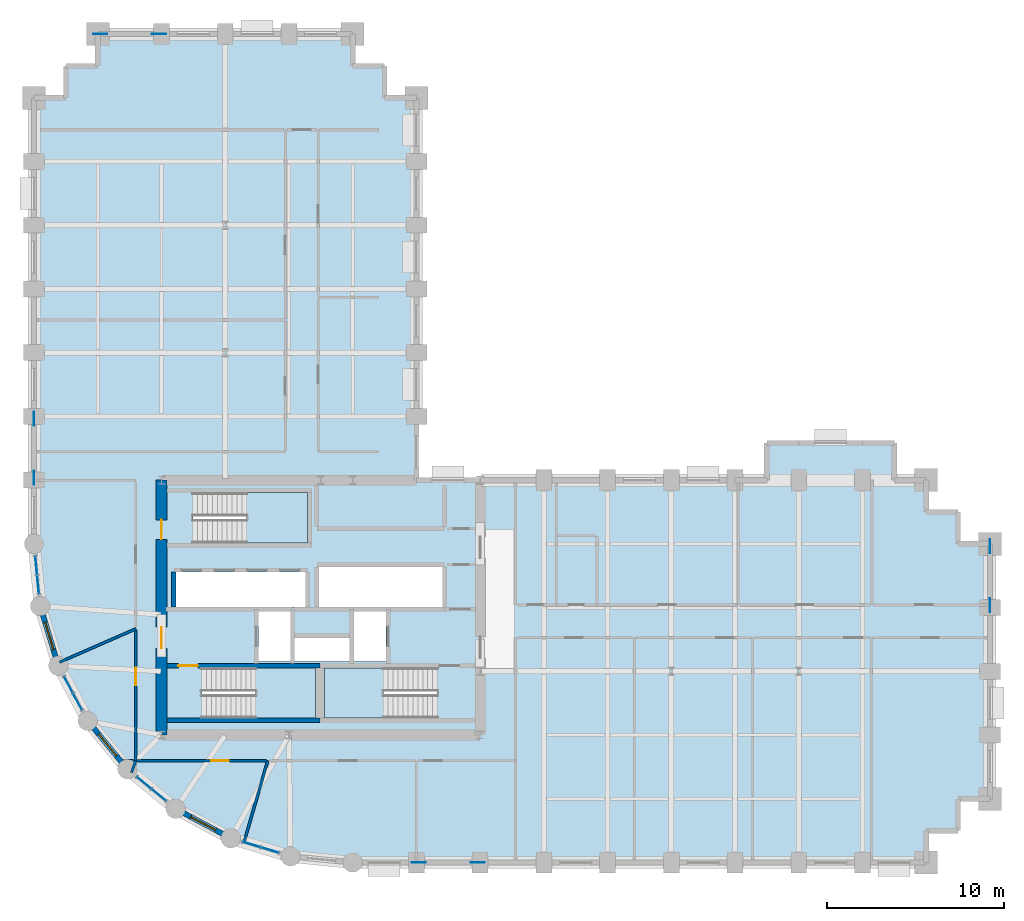
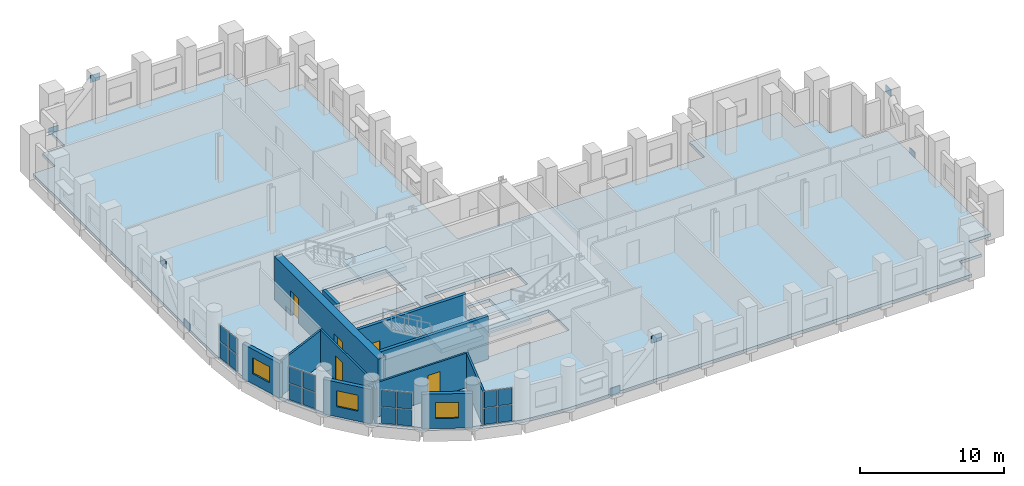
# One storey, part 7 of 13: 24 plates, 12 walls, 5 doors, 4 slabs, 3 windows, 8 openings, 7 elements without a shape of their own.
"""IFC4 building model written with IfcOpenShell, lengths in metres."""

from ifc_helpers import new_model, si_unit, direction, frame, frame_2d, origin, origin_2d, place, context, subcontext, project, spatial, polyline, rectangle, outline, extrude, material, layer, layer_set, type_object, element, fill, aggregate, save


model = new_model("IFC4")

# Units and contexts
model_context = context("Model", 3, precision=1e-05, world=origin(), true_north=direction((0.0, 1.0)))
body_context = subcontext(model_context, "Body", "Model", "MODEL_VIEW")
ifc_project = project(units=[si_unit("LENGTHUNIT", "METRE"), si_unit("AREAUNIT", "SQUARE_METRE"), si_unit("VOLUMEUNIT", "CUBIC_METRE"), si_unit("PLANEANGLEUNIT", "RADIAN"), si_unit("MASSUNIT", "GRAM", prefix="KILO")], contexts=[model_context])

# Site, building, storey
site_placement = place(None, origin())
site = spatial("IfcSite", under=ifc_project, at=site_placement, CompositionType="ELEMENT")
building_placement = place(site_placement, origin())
building = spatial("IfcBuilding", under=site, at=building_placement, Name="Solnavia Interchange Tower", CompositionType="ELEMENT")
storey_placement = place(building_placement, frame((0.0, 0.0, 39.60009765625)))
storey = spatial("IfcBuildingStorey", under=building, at=storey_placement, Name="L09", CompositionType="ELEMENT", Elevation=39.60009765625)

# Curtain wall, plates
ifc_material_1 = material(Name="Aluminium Alloy 6063-T6", Category="aluminium")
ifc_layer_1 = layer(ifc_material_1, 0.239990234375)
ifc_layer_set_1 = layer_set([ifc_layer_1], Name="Aluminium Alloy 6063-T6")
curtain_wall_type = type_object("IfcCurtainWallType", Name="CurtainWall-Drum-CTW2", PredefinedType="NOTDEFINED", material=ifc_layer_set_1)
curtain_wall_1_placement = place(storey_placement, origin())
curtain_wall_1 = element("IfcCurtainWall", 1, at=curtain_wall_1_placement, inside=storey, type_object=curtain_wall_type, Name="CTW-L09-D59 CTW-2 curtain wall", PredefinedType="NOTDEFINED")
ifc_material_2 = material(Name="Double-Glazed Low-E IGU Glass", Category="glass")
ifc_layer_2 = layer(ifc_material_2, 0.031982421875)
ifc_layer_set_2 = layer_set([ifc_layer_2], Name="Double-Glazed Low-E IGU Glass")
plate_type_1 = type_object("IfcPlateType", Name="CW-Panel-Solar-32", PredefinedType="CURTAIN_PANEL", material=ifc_layer_set_2)
plate_1_placement = place(storey_placement, frame((7.319580078125, 20.38623046875, 0.06494140625), z_axis=(0.0, 0.0, 1.0), x_axis=(0.098045297616, -0.995181953019, 0.0)))
plate_1 = element("IfcPlate", 2, at=plate_1_placement, type_object=plate_type_1, Name="CTW-2 panel 1.1", PredefinedType="CURTAIN_PANEL", context=body_context, shape_type="SweptSolid", body=[
    extrude(rectangle(XDim=1.0146484375, YDim=0.031982421875, at=origin_2d()), origin(), (0.0, 0.0, 1.0), 1.367431640625),
])
plate_2_placement = place(storey_placement, frame((7.319580078125, 20.38623046875, 1.49755859375), z_axis=(0.0, 0.0, 1.0), x_axis=(0.098045297616, -0.995181953019, 0.0)))
plate_2 = element("IfcPlate", 3, at=plate_2_placement, type_object=plate_type_1, Name="CTW-2 panel 1.2", PredefinedType="CURTAIN_PANEL", context=body_context, shape_type="SweptSolid", body=[
    extrude(rectangle(XDim=1.0146484375, YDim=0.031982421875, at=origin_2d()), origin(), (0.0, 0.0, 1.0), 1.367431640625),
])
plate_3_placement = place(storey_placement, frame((7.426513671875, 19.3017578125, 0.06494140625), z_axis=(0.0, 0.0, 1.0), x_axis=(0.098045297616, -0.995181953019, 0.0)))
plate_3 = element("IfcPlate", 4, at=plate_3_placement, type_object=plate_type_1, Name="CTW-2 panel 2.1", PredefinedType="CURTAIN_PANEL", context=body_context, shape_type="SweptSolid", body=[
    extrude(rectangle(XDim=1.0146484375, YDim=0.031982421875, at=origin_2d()), origin(), (0.0, 0.0, 1.0), 1.367431640625),
])
plate_4_placement = place(storey_placement, frame((7.426513671875, 19.3017578125, 1.49755859375), z_axis=(0.0, 0.0, 1.0), x_axis=(0.098045297616, -0.995181953019, 0.0)))
plate_4 = element("IfcPlate", 5, at=plate_4_placement, type_object=plate_type_1, Name="CTW-2 panel 2.2", PredefinedType="CURTAIN_PANEL", context=body_context, shape_type="SweptSolid", body=[
    extrude(rectangle(XDim=1.0146484375, YDim=0.031982421875, at=origin_2d()), origin(), (0.0, 0.0, 1.0), 1.367431640625),
])
aggregate(curtain_wall_1, [plate_1, plate_2, plate_3, plate_4])

curtain_wall_2_placement = place(storey_placement, origin())
curtain_wall_2 = element("IfcCurtainWall", 6, at=curtain_wall_2_placement, inside=storey, type_object=curtain_wall_type, Name="CTW-L09-D61 CTW-2 curtain wall", PredefinedType="NOTDEFINED")
plate_5_placement = place(storey_placement, frame((9.14501953125, 13.636474609375, 0.06494140625), z_axis=(0.0, 0.0, 1.0), x_axis=(0.471536719402, -0.881846427818, 0.0)))
plate_5 = element("IfcPlate", 7, at=plate_5_placement, type_object=plate_type_1, Name="CTW-2 panel 1.1", PredefinedType="CURTAIN_PANEL", context=body_context, shape_type="SweptSolid", body=[
    extrude(rectangle(XDim=1.014404296875, YDim=0.031982421875, at=origin_2d()), origin(), (0.0, 0.0, 1.0), 1.367431640625),
])
plate_6_placement = place(storey_placement, frame((9.14501953125, 13.636474609375, 1.49755859375), z_axis=(0.0, 0.0, 1.0), x_axis=(0.471536719402, -0.881846427818, 0.0)))
plate_6 = element("IfcPlate", 8, at=plate_6_placement, type_object=plate_type_1, Name="CTW-2 panel 1.2", PredefinedType="CURTAIN_PANEL", context=body_context, shape_type="SweptSolid", body=[
    extrude(rectangle(XDim=1.014404296875, YDim=0.031982421875, at=origin_2d()), origin(), (0.0, 0.0, 1.0), 1.367431640625),
])
plate_7_placement = place(storey_placement, frame((9.658935546875, 12.675537109375, 0.06494140625), z_axis=(0.0, 0.0, 1.0), x_axis=(0.471536719402, -0.881846427818, 0.0)))
plate_7 = element("IfcPlate", 9, at=plate_7_placement, type_object=plate_type_1, Name="CTW-2 panel 2.1", PredefinedType="CURTAIN_PANEL", context=body_context, shape_type="SweptSolid", body=[
    extrude(rectangle(XDim=1.014404296875, YDim=0.031982421875, at=origin_2d()), origin(), (0.0, 0.0, 1.0), 1.367431640625),
])
plate_8_placement = place(storey_placement, frame((9.658935546875, 12.675537109375, 1.49755859375), z_axis=(0.0, 0.0, 1.0), x_axis=(0.471536719402, -0.881846427818, 0.0)))
plate_8 = element("IfcPlate", 10, at=plate_8_placement, type_object=plate_type_1, Name="CTW-2 panel 2.2", PredefinedType="CURTAIN_PANEL", context=body_context, shape_type="SweptSolid", body=[
    extrude(rectangle(XDim=1.014404296875, YDim=0.031982421875, at=origin_2d()), origin(), (0.0, 0.0, 1.0), 1.367431640625),
])
aggregate(curtain_wall_2, [plate_5, plate_6, plate_7, plate_8])

curtain_wall_3_placement = place(storey_placement, origin())
curtain_wall_3 = element("IfcCurtainWall", 11, at=curtain_wall_3_placement, inside=storey, type_object=curtain_wall_type, Name="CTW-L09-D63 CTW-2 curtain wall", PredefinedType="NOTDEFINED")
plate_9_placement = place(storey_placement, frame((13.4150390625, 8.098388671875, 0.06494140625), z_axis=(0.0, 0.0, 1.0), x_axis=(0.773094572227, -0.634290771172, 0.0)))
plate_9 = element("IfcPlate", 12, at=plate_9_placement, type_object=plate_type_1, Name="CTW-2 panel 1.1", PredefinedType="CURTAIN_PANEL", context=body_context, shape_type="SweptSolid", body=[
    extrude(rectangle(XDim=1.01416015625, YDim=0.031982421875, at=origin_2d()), origin(), (0.0, 0.0, 1.0), 1.367431640625),
])
plate_10_placement = place(storey_placement, frame((13.4150390625, 8.098388671875, 1.49755859375), z_axis=(0.0, 0.0, 1.0), x_axis=(0.773094572227, -0.634290771172, 0.0)))
plate_10 = element("IfcPlate", 13, at=plate_10_placement, type_object=plate_type_1, Name="CTW-2 panel 1.2", PredefinedType="CURTAIN_PANEL", context=body_context, shape_type="SweptSolid", body=[
    extrude(rectangle(XDim=1.01416015625, YDim=0.031982421875, at=origin_2d()), origin(), (0.0, 0.0, 1.0), 1.367431640625),
])
plate_11_placement = place(storey_placement, frame((14.257080078125, 7.407470703125, 0.06494140625), z_axis=(0.0, 0.0, 1.0), x_axis=(0.773094572227, -0.634290771172, 0.0)))
plate_11 = element("IfcPlate", 14, at=plate_11_placement, type_object=plate_type_1, Name="CTW-2 panel 2.1", PredefinedType="CURTAIN_PANEL", context=body_context, shape_type="SweptSolid", body=[
    extrude(rectangle(XDim=1.01416015625, YDim=0.031982421875, at=origin_2d()), origin(), (0.0, 0.0, 1.0), 1.367431640625),
])
plate_12_placement = place(storey_placement, frame((14.257080078125, 7.407470703125, 1.49755859375), z_axis=(0.0, 0.0, 1.0), x_axis=(0.773094572227, -0.634290771172, 0.0)))
plate_12 = element("IfcPlate", 15, at=plate_12_placement, type_object=plate_type_1, Name="CTW-2 panel 2.2", PredefinedType="CURTAIN_PANEL", context=body_context, shape_type="SweptSolid", body=[
    extrude(rectangle(XDim=1.01416015625, YDim=0.031982421875, at=origin_2d()), origin(), (0.0, 0.0, 1.0), 1.367431640625),
])
aggregate(curtain_wall_3, [plate_9, plate_10, plate_11, plate_12])

curtain_wall_4_placement = place(storey_placement, origin())
curtain_wall_4 = element("IfcCurtainWall", 16, at=curtain_wall_4_placement, inside=storey, type_object=curtain_wall_type, Name="CTW-L09-D65 CTW-2 curtain wall", PredefinedType="NOTDEFINED")
plate_13_placement = place(storey_placement, frame((19.47900390625, 4.615966796875, 0.06494140625), z_axis=(0.0, 0.0, 1.0), x_axis=(0.956934759739, -0.290303058206, 0.0)))
plate_13 = element("IfcPlate", 17, at=plate_13_placement, type_object=plate_type_1, Name="CTW-2 panel 1.1", PredefinedType="CURTAIN_PANEL", context=body_context, shape_type="SweptSolid", body=[
    extrude(rectangle(XDim=1.013916015625, YDim=0.031982421875, at=origin_2d()), origin(), (0.0, 0.0, 1.0), 1.367431640625),
])
plate_14_placement = place(storey_placement, frame((19.47900390625, 4.615966796875, 1.49755859375), z_axis=(0.0, 0.0, 1.0), x_axis=(0.956934759739, -0.290303058206, 0.0)))
plate_14 = element("IfcPlate", 18, at=plate_14_placement, type_object=plate_type_1, Name="CTW-2 panel 1.2", PredefinedType="CURTAIN_PANEL", context=body_context, shape_type="SweptSolid", body=[
    extrude(rectangle(XDim=1.013916015625, YDim=0.031982421875, at=origin_2d()), origin(), (0.0, 0.0, 1.0), 1.367431640625),
])
plate_15_placement = place(storey_placement, frame((20.52099609375, 4.300048828125, 0.06494140625), z_axis=(0.0, 0.0, 1.0), x_axis=(0.956934759739, -0.290303058206, 0.0)))
plate_15 = element("IfcPlate", 19, at=plate_15_placement, type_object=plate_type_1, Name="CTW-2 panel 2.1", PredefinedType="CURTAIN_PANEL", context=body_context, shape_type="SweptSolid", body=[
    extrude(rectangle(XDim=1.013916015625, YDim=0.031982421875, at=origin_2d()), origin(), (0.0, 0.0, 1.0), 1.367431640625),
])
plate_16_placement = place(storey_placement, frame((20.52099609375, 4.300048828125, 1.49755859375), z_axis=(0.0, 0.0, 1.0), x_axis=(0.956934759739, -0.290303058206, 0.0)))
plate_16 = element("IfcPlate", 20, at=plate_16_placement, type_object=plate_type_1, Name="CTW-2 panel 2.2", PredefinedType="CURTAIN_PANEL", context=body_context, shape_type="SweptSolid", body=[
    extrude(rectangle(XDim=1.013916015625, YDim=0.031982421875, at=origin_2d()), origin(), (0.0, 0.0, 1.0), 1.367431640625),
])
aggregate(curtain_wall_4, [plate_13, plate_14, plate_15, plate_16])

# Plates
ifc_material_3 = material(Name="Steel S460", Category="steel")
ifc_layer_3 = layer(ifc_material_3, 0.035888671875)
ifc_layer_set_3 = layer_set([ifc_layer_3], Name="Steel S460")
plate_type_2 = type_object("IfcPlateType", Name="Plate-Gusset-800x600x36", PredefinedType="USERDEFINED", material=ifc_layer_set_3)
for number, where, z_axis, x_axis, name in (
    (21, (28.93994140625, 3.60009765625, -0.1201171875), (0.0, 0.0, 1.0), (1.0, 0.0, 0.0), "PLT-L09-GP01 Perimeter brace gusset plate"),
    (22, (32.260009765625, 3.60009765625, 3.169921875), (0.0, 0.0, 1.0), (1.0, 0.0, 0.0), "PLT-L09-GP02 Perimeter brace gusset plate"),
    (23, (7.199951171875, 25.340087890625, -0.1201171875), (0.0, 0.0, 1.0), (0.0, 1.0, 0.0), "PLT-L09-GP03 Perimeter brace gusset plate"),
    (24, (7.199951171875, 28.659912109375, 3.169921875), (0.0, 0.0, 1.0), (0.0, 1.0, 0.0), "PLT-L09-GP04 Perimeter brace gusset plate"),
    (25, (61.199951171875, 18.139892578125, -0.1201171875), (0.0, 0.0, 1.0), (0.0, 1.0, 0.0), "PLT-L09-GP05 Perimeter brace gusset plate"),
    (26, (61.199951171875, 21.4599609375, 3.169921875), (0.0, 0.0, 1.0), (0.0, 1.0, 0.0), "PLT-L09-GP06 Perimeter brace gusset plate"),
    (27, (10.93994140625, 50.39990234375, -0.1201171875), (0.0, 0.0, 1.0), (1.0, 0.0, 0.0), "PLT-L09-GP07 Perimeter brace gusset plate"),
    (28, (14.260009765625, 50.39990234375, 3.169921875), (0.0, 0.0, 1.0), (1.0, 0.0, 0.0), "PLT-L09-GP08 Perimeter brace gusset plate"),
):
    element("IfcPlate", number, at=place(storey_placement, frame(where, z_axis=z_axis, x_axis=x_axis)), inside=storey, type_object=plate_type_2, Name=name, ObjectType="GUSSET PLATE", PredefinedType="USERDEFINED", context=body_context, shape_type="SweptSolid", body=[
        extrude(rectangle(XDim=0.800048828125, YDim=0.035888671875, at=origin_2d()), origin(), (0.0, 0.0, 1.0), 0.60009765625),
    ])

# Stair, slab
ifc_material_4 = material(Name="Concrete C40/50", Category="concrete")
stair_type = type_object("IfcStairType", Name="Stair-Dogleg-RC", PredefinedType="HALF_TURN_STAIR", material=ifc_material_4)
stair_1_placement = place(storey_placement, origin())
stair_1 = element("IfcStair", 29, at=stair_1_placement, inside=storey, type_object=stair_type, Name="L09 Core exit stair 1", PredefinedType="HALF_TURN_STAIR")
ifc_layer_4 = layer(ifc_material_4, 0.35009765625)
ifc_layer_set_4 = layer_set([ifc_layer_4], Name="Concrete C40/50")
slab_type_1 = type_object("IfcSlabType", Name="Slab-StairLanding-350", PredefinedType="LANDING", material=ifc_layer_set_4)
slab_1_placement = place(storey_placement, frame((0.0, 0.0, 1.599853515625)))
slab_1 = element("IfcSlab", 30, at=slab_1_placement, type_object=slab_type_1, Name="ST-1 landing 1", PredefinedType="LANDING", context=body_context, shape_type="SweptSolid", body=[
    extrude(outline(polyline([(19.7080078125, 11.75), (23.10009765625, 11.75), (23.10009765625, 14.590087890625), (19.7080078125, 14.590087890625), (19.7080078125, 11.75)])), origin(), (0.0, 0.0, 1.0), 0.35009765625),
])
aggregate(stair_1, [slab_1])

stair_2_placement = place(storey_placement, origin())
stair_2 = element("IfcStair", 31, at=stair_2_placement, inside=storey, type_object=stair_type, Name="L09 Core exit stair 2", PredefinedType="HALF_TURN_STAIR")
slab_2_placement = place(storey_placement, frame((0.0, 0.0, 1.599853515625)))
slab_2 = element("IfcSlab", 32, at=slab_2_placement, type_object=slab_type_1, Name="ST-2 landing 1", PredefinedType="LANDING", context=body_context, shape_type="SweptSolid", body=[
    extrude(outline(polyline([(23.60009765625, 11.75), (26.94189453125, 11.75), (26.94189453125, 14.590087890625), (23.60009765625, 14.590087890625), (23.60009765625, 11.75)])), origin(), (0.0, 0.0, 1.0), 0.35009765625),
])
aggregate(stair_2, [slab_2])

stair_3_placement = place(storey_placement, origin())
stair_3 = element("IfcStair", 33, at=stair_3_placement, inside=storey, type_object=stair_type, Name="L09 Core exit stair 3", PredefinedType="HALF_TURN_STAIR")
slab_3_placement = place(storey_placement, frame((0.0, 0.0, 1.599853515625)))
slab_3 = element("IfcSlab", 34, at=slab_3_placement, type_object=slab_type_1, Name="ST-3 landing 1", PredefinedType="LANDING", context=body_context, shape_type="SweptSolid", body=[
    extrude(outline(polyline([(19.2080078125, 21.64990234375), (22.64990234375, 21.64990234375), (22.64990234375, 24.489990234375), (19.2080078125, 24.489990234375), (19.2080078125, 21.64990234375)])), origin(), (0.0, 0.0, 1.0), 0.35009765625),
])
aggregate(stair_3, [slab_3])

# Slab
ifc_layer_5 = layer(ifc_material_4, 0.25)
ifc_layer_set_5 = layer_set([ifc_layer_5], Name="Concrete C40/50")
slab_type_2 = type_object("IfcSlabType", Name="Slab-Tower-250", PredefinedType="FLOOR", material=ifc_layer_set_5)
slab_4_placement = place(storey_placement, frame((0.0, 0.0, -0.25)))
element("IfcSlab", 35, at=slab_4_placement, inside=storey, type_object=slab_type_2, Name="SLB-L09-01 Structural floor slab", PredefinedType="FLOOR", context=body_context, shape_type="SweptSolid", body=[
    extrude(outline(polyline([(25.199951171875, 3.60009765625), (57.60009765625, 3.60009765625), (57.60009765625, 5.39990234375), (59.39990234375, 5.39990234375), (59.39990234375, 7.199951171875), (61.199951171875, 7.199951171875), (61.199951171875, 21.60009765625), (59.39990234375, 21.60009765625), (59.39990234375, 23.39990234375), (57.60009765625, 23.39990234375), (57.60009765625, 25.199951171875), (55.800048828125, 25.199951171875), (55.800048828125, 27.300048828125), (48.60009765625, 27.300048828125), (48.60009765625, 25.199951171875), (28.800048828125, 25.199951171875), (28.800048828125, 46.800048828125), (27.0, 46.800048828125), (27.0, 48.60009765625), (25.199951171875, 48.60009765625), (25.199951171875, 50.39990234375), (10.800048828125, 50.39990234375), (10.800048828125, 48.60009765625), (9.0, 48.60009765625), (9.0, 46.800048828125), (7.199951171875, 46.800048828125), (7.199951171875, 21.60009765625), (7.5458984375, 18.087890625), (8.570068359375, 14.7119140625), (10.23388671875, 11.60009765625), (12.471923828125, 8.8720703125), (15.199951171875, 6.634033203125), (18.31201171875, 4.969970703125), (21.68798828125, 3.946044921875), (25.199951171875, 3.60009765625)]), holes=[polyline([(16.675048828125, 11.75), (23.10009765625, 11.75), (23.10009765625, 14.590087890625), (16.675048828125, 14.590087890625), (16.675048828125, 11.75)]), polyline([(23.60009765625, 11.75), (29.97509765625, 11.75), (29.97509765625, 14.590087890625), (23.60009765625, 14.590087890625), (23.60009765625, 11.75)]), polyline([(16.175048828125, 21.64990234375), (22.64990234375, 21.64990234375), (22.64990234375, 24.489990234375), (16.175048828125, 24.489990234375), (16.175048828125, 21.64990234375)]), polyline([(19.8798828125, 14.9599609375), (21.679931640625, 14.9599609375), (21.679931640625, 17.780029296875), (19.8798828125, 17.780029296875), (19.8798828125, 14.9599609375)]), polyline([(25.280029296875, 14.9599609375), (27.080078125, 14.9599609375), (27.080078125, 17.780029296875), (25.280029296875, 17.780029296875), (25.280029296875, 14.9599609375)]), polyline([(21.919921875, 14.9599609375), (25.02001953125, 14.9599609375), (25.02001953125, 16.280029296875), (21.919921875, 16.280029296875), (21.919921875, 14.9599609375)]), polyline([(15.219970703125, 18.02001953125), (22.52001953125, 18.02001953125), (22.52001953125, 20.0), (15.219970703125, 20.0), (15.219970703125, 18.02001953125)]), polyline([(23.300048828125, 18.02001953125), (30.280029296875, 18.02001953125), (30.280029296875, 20.300048828125), (23.300048828125, 20.300048828125), (23.300048828125, 18.02001953125)])]), origin(), (0.0, 0.0, 1.0), 0.25),
])

# Wall, opening, window
ifc_layer_6 = layer(ifc_material_4, 0.300048828125)
ifc_layer_set_6 = layer_set([ifc_layer_6], Name="Concrete C40/50")
wall_type_1 = type_object("IfcWallType", Name="Wall-ExtSpandrel-300", PredefinedType="STANDARD", material=ifc_layer_set_6)
wall_1_placement = place(storey_placement, frame((8.570068359375, 14.7119140625, 0.0), z_axis=(0.0, 0.0, 1.0), x_axis=(-0.290305086481, 0.956934144423, 0.0)))
wall_1 = element("IfcWall", 36, at=wall_1_placement, inside=storey, type_object=wall_type_1, Name="EXW-L09-60 Exterior precast spandrel wall", PredefinedType="STANDARD", context=body_context, shape_type="SweptSolid", body=[
    extrude(rectangle(XDim=3.52783203125, YDim=0.300048828125, at=frame_2d((1.763916015625, 0.0))), origin(), (0.0, 0.0, 1.0), 2.929931640625),
])
opening_1_placement = place(wall_1_placement, frame((0.964111328125, 0.0, 0.85009765625)))
opening_1 = element("IfcOpeningElement", 37, at=opening_1_placement, cuts=wall_1, Name="Opening WIN-04", PredefinedType="OPENING", context=body_context, shape_type="SweptSolid", body=[
    extrude(rectangle(XDim=1.60009765625, YDim=1.35009765625, at=frame_2d((0.800048828125, 0.675048828125))), frame((0.0, 0.16015625, 0.0), z_axis=(0.0, -1.0, 0.0), x_axis=(1.0, 0.0, 0.0)), (0.0, 0.0, 1.0), 0.320068359375),
])
ifc_material_5 = material(Name="Thermal-Break Aluminium & Low-E Glass", Category="aluminium")
window_type = type_object("IfcWindowType", Name="Window-Drum-1600x1350", PartitioningType="SINGLE_PANEL", PredefinedType="WINDOW", material=ifc_material_5)
window_1_placement = place(opening_1_placement, origin())
window_1 = element("IfcWindow", 38, at=window_1_placement, inside=storey, type_object=window_type, Name="WIN-L09-60 Facade ribbon window", OverallHeight=1.35009765625, OverallWidth=1.60009765625, PartitioningType="SINGLE_PANEL", PredefinedType="WINDOW", context=body_context, shape_type="SweptSolid", body=[
    extrude(rectangle(XDim=1.60009765625, YDim=1.35009765625, at=frame_2d((0.800048828125, 0.675048828125))), frame((0.0, 0.030029296875, 0.0), z_axis=(0.0, -1.0, 0.0), x_axis=(1.0, 0.0, 0.0)), (0.0, 0.0, 1.0), 0.06005859375),
])
fill(opening_1, window_1)

wall_2_placement = place(storey_placement, frame((12.471923828125, 8.8720703125, 0.0), z_axis=(0.0, 0.0, 1.0), x_axis=(-0.634258295121, 0.773121216285, 0.0)))
wall_2 = element("IfcWall", 39, at=wall_2_placement, inside=storey, type_object=wall_type_1, Name="EXW-L09-62 Exterior precast spandrel wall", PredefinedType="STANDARD", context=body_context, shape_type="SweptSolid", body=[
    extrude(rectangle(XDim=3.528564453125, YDim=0.300048828125, at=frame_2d((1.76416015625, 0.0))), origin(), (0.0, 0.0, 1.0), 2.929931640625),
])
opening_2_placement = place(wall_2_placement, frame((0.964111328125, 0.0, 0.85009765625)))
opening_2 = element("IfcOpeningElement", 40, at=opening_2_placement, cuts=wall_2, Name="Opening WIN-04", PredefinedType="OPENING", context=body_context, shape_type="SweptSolid", body=[
    extrude(rectangle(XDim=1.60009765625, YDim=1.35009765625, at=frame_2d((0.800048828125, 0.675048828125))), frame((0.0, 0.16015625, 0.0), z_axis=(0.0, -1.0, 0.0), x_axis=(1.0, 0.0, 0.0)), (0.0, 0.0, 1.0), 0.320068359375),
])
window_2_placement = place(opening_2_placement, origin())
window_2 = element("IfcWindow", 41, at=window_2_placement, inside=storey, type_object=window_type, Name="WIN-L09-62 Facade ribbon window", OverallHeight=1.35009765625, OverallWidth=1.60009765625, PartitioningType="SINGLE_PANEL", PredefinedType="WINDOW", context=body_context, shape_type="SweptSolid", body=[
    extrude(rectangle(XDim=1.60009765625, YDim=1.35009765625, at=frame_2d((0.800048828125, 0.675048828125))), frame((0.0, 0.030029296875, 0.0), z_axis=(0.0, -1.0, 0.0), x_axis=(1.0, 0.0, 0.0)), (0.0, 0.0, 1.0), 0.06005859375),
])
fill(opening_2, window_2)

wall_3_placement = place(storey_placement, frame((18.31201171875, 4.969970703125, 0.0), z_axis=(0.0, 0.0, 1.0), x_axis=(-0.881846862014, 0.471535907389, 0.0)))
wall_3 = element("IfcWall", 42, at=wall_3_placement, inside=storey, type_object=wall_type_1, Name="EXW-L09-64 Exterior precast spandrel wall", PredefinedType="STANDARD", context=body_context, shape_type="SweptSolid", body=[
    extrude(rectangle(XDim=3.529052734375, YDim=0.300048828125, at=frame_2d((1.7646484375, 0.0))), origin(), (0.0, 0.0, 1.0), 2.929931640625),
])
opening_3_placement = place(wall_3_placement, frame((0.964111328125, 0.0, 0.85009765625)))
opening_3 = element("IfcOpeningElement", 43, at=opening_3_placement, cuts=wall_3, Name="Opening WIN-04", PredefinedType="OPENING", context=body_context, shape_type="SweptSolid", body=[
    extrude(rectangle(XDim=1.60009765625, YDim=1.35009765625, at=frame_2d((0.800048828125, 0.675048828125))), frame((0.0, 0.16015625, 0.0), z_axis=(0.0, -1.0, 0.0), x_axis=(1.0, 0.0, 0.0)), (0.0, 0.0, 1.0), 0.320068359375),
])
window_3_placement = place(opening_3_placement, origin())
window_3 = element("IfcWindow", 44, at=window_3_placement, inside=storey, type_object=window_type, Name="WIN-L09-64 Facade ribbon window", OverallHeight=1.35009765625, OverallWidth=1.60009765625, PartitioningType="SINGLE_PANEL", PredefinedType="WINDOW", context=body_context, shape_type="SweptSolid", body=[
    extrude(rectangle(XDim=1.60009765625, YDim=1.35009765625, at=frame_2d((0.800048828125, 0.675048828125))), frame((0.0, 0.030029296875, 0.0), z_axis=(0.0, -1.0, 0.0), x_axis=(1.0, 0.0, 0.0)), (0.0, 0.0, 1.0), 0.06005859375),
])
fill(opening_3, window_3)

# Walls
ifc_material_6 = material(Name="Gypsum Plasterboard & Steel Stud", Category="steel")
ifc_layer_7 = layer(ifc_material_6, 0.14990234375)
ifc_layer_set_7 = layer_set([ifc_layer_7], Name="Gypsum Plasterboard & Steel Stud")
wall_type_2 = type_object("IfcWallType", Name="Wall-Partition-150", PredefinedType="PARTITIONING", material=ifc_layer_set_7)
wall_4_placement = place(storey_placement, frame((12.949951171875, 16.800048828125, 0.0), z_axis=(0.0, 0.0, 1.0), x_axis=(-0.916088262031, -0.400976677837, 0.0)))
element("IfcWall", 45, at=wall_4_placement, inside=storey, type_object=wall_type_2, Name="PTW-L09-09 Interior partition wall", PredefinedType="PARTITIONING", context=body_context, shape_type="SweptSolid", body=[
    extrude(rectangle(XDim=4.705810546875, YDim=0.14990234375, at=frame_2d((2.35302734375, 0.0))), origin(), (0.0, 0.0, 1.0), 2.929931640625),
])
wall_5_placement = place(storey_placement, frame((12.949951171875, 9.35009765625, 0.0), z_axis=(0.0, 0.0, 1.0), x_axis=(-0.341990430397, -0.939703434875, 0.0)))
element("IfcWall", 46, at=wall_5_placement, inside=storey, type_object=wall_type_2, Name="PTW-L09-10 Interior partition wall", PredefinedType="PARTITIONING", context=body_context, shape_type="SweptSolid", body=[
    extrude(rectangle(XDim=0.713134765625, YDim=0.14990234375, at=frame_2d((0.3564453125, 0.0))), origin(), (0.0, 0.0, 1.0), 2.929931640625),
])
wall_6_placement = place(storey_placement, frame((20.39990234375, 9.35009765625, 0.0), z_axis=(0.0, 0.0, 1.0), x_axis=(-0.27916607548, -0.960242835069, 0.0)))
element("IfcWall", 47, at=wall_6_placement, inside=storey, type_object=wall_type_2, Name="PTW-L09-11 Interior partition wall", PredefinedType="PARTITIONING", context=body_context, shape_type="SweptSolid", body=[
    extrude(rectangle(XDim=4.857177734375, YDim=0.14990234375, at=frame_2d((2.4287109375, 0.0))), origin(), (0.0, 0.0, 1.0), 2.929931640625),
])

# Wall, opening, door
wall_7_placement = place(storey_placement, frame((12.949951171875, 9.35009765625, 0.0), z_axis=(0.0, 0.0, 1.0), x_axis=(0.0, 1.0, 0.0)))
wall_7 = element("IfcWall", 48, at=wall_7_placement, inside=storey, type_object=wall_type_2, Name="PTW-L09-13 Interior partition wall", PredefinedType="PARTITIONING", context=body_context, shape_type="SweptSolid", body=[
    extrude(rectangle(XDim=7.370849609375, YDim=0.14990234375, at=frame_2d((3.685546875, 0.0))), origin(), (0.0, 0.0, 1.0), 3.039794921875),
])
opening_4_placement = place(wall_7_placement, frame((4.260986328125, 0.0, 0.0)))
opening_4 = element("IfcOpeningElement", 49, at=opening_4_placement, cuts=wall_7, Name="Opening DR-07", PredefinedType="OPENING", context=body_context, shape_type="SweptSolid", body=[
    extrude(rectangle(XDim=1.0, YDim=2.10009765625, at=frame_2d((0.5, 1.050048828125))), frame((0.0, 0.0849609375, 0.0), z_axis=(0.0, -1.0, 0.0), x_axis=(1.0, 0.0, 0.0)), (0.0, 0.0, 1.0), 0.169921875),
])
ifc_material_7 = material(Name="Timber & Acoustic Glazed Office Door", Category="wood")
door_type_1 = type_object("IfcDoorType", Name="Door-Office-1000x2100", OperationType="SINGLE_SWING_RIGHT", PredefinedType="DOOR", material=ifc_material_7)
door_1_placement = place(opening_4_placement, origin())
door_1 = element("IfcDoor", 50, at=door_1_placement, inside=storey, type_object=door_type_1, Name="DR-L09-04 Interior room door", OperationType="SINGLE_SWING_RIGHT", OverallHeight=2.10009765625, OverallWidth=1.0, PredefinedType="DOOR", context=body_context, shape_type="SweptSolid", body=[
    extrude(rectangle(XDim=1.0, YDim=2.10009765625, at=frame_2d((0.5, 1.050048828125))), frame((0.0, 0.02490234375, 0.0), z_axis=(0.0, -1.0, 0.0), x_axis=(1.0, 0.0, 0.0)), (0.0, 0.0, 1.0), 0.050048828125),
])
fill(opening_4, door_1)

wall_8_placement = place(storey_placement, frame((12.23388671875, 9.35009765625, 0.0), z_axis=(0.0, 0.0, 1.0), x_axis=(1.0, 0.0, 0.0)))
wall_8 = element("IfcWall", 51, at=wall_8_placement, inside=storey, type_object=wall_type_2, Name="PTW-L09-14 Interior partition wall", PredefinedType="PARTITIONING", context=body_context, shape_type="SweptSolid", body=[
    extrude(rectangle(XDim=8.087158203125, YDim=0.14990234375, at=frame_2d((4.04345703125, 0.0))), origin(), (0.0, 0.0, 1.0), 2.929931640625),
])
opening_5_placement = place(wall_8_placement, frame((4.97705078125, 0.0, 0.0)))
opening_5 = element("IfcOpeningElement", 52, at=opening_5_placement, cuts=wall_8, Name="Opening DR-07", PredefinedType="OPENING", context=body_context, shape_type="SweptSolid", body=[
    extrude(rectangle(XDim=1.0, YDim=2.10009765625, at=frame_2d((0.5, 1.050048828125))), frame((0.0, 0.0849609375, 0.0), z_axis=(0.0, -1.0, 0.0), x_axis=(1.0, 0.0, 0.0)), (0.0, 0.0, 1.0), 0.169921875),
])
door_2_placement = place(opening_5_placement, origin())
door_2 = element("IfcDoor", 53, at=door_2_placement, inside=storey, type_object=door_type_1, Name="DR-L09-05 Interior room door", OperationType="SINGLE_SWING_LEFT", OverallHeight=2.10009765625, OverallWidth=1.0, PredefinedType="DOOR", context=body_context, shape_type="SweptSolid", body=[
    extrude(rectangle(XDim=1.0, YDim=2.10009765625, at=frame_2d((0.5, 1.050048828125))), frame((0.0, 0.02490234375, 0.0), z_axis=(0.0, -1.0, 0.0), x_axis=(1.0, 0.0, 0.0)), (0.0, 0.0, 1.0), 0.050048828125),
])
fill(opening_5, door_2)

# Wall
ifc_layer_8 = layer(ifc_material_4, 0.25)
ifc_layer_set_8 = layer_set([ifc_layer_8], Name="Concrete C40/50")
wall_type_3 = type_object("IfcWallType", Name="Wall-ShaftCore-250", PredefinedType="SHEAR", material=ifc_layer_set_8)
wall_9_placement = place(storey_placement, frame((14.699951171875, 11.625, 0.0), z_axis=(0.0, 0.0, 1.0), x_axis=(1.0, 0.0, 0.0)))
element("IfcWall", 54, at=wall_9_placement, inside=storey, type_object=wall_type_3, Name="SHW-L09-ST1S Core shear wall", PredefinedType="SHEAR", context=body_context, shape_type="SweptSolid", body=[
    extrude(rectangle(XDim=8.650146484375, YDim=0.25, at=frame_2d((4.3251953125, 0.0))), origin(), (0.0, 0.0, 1.0), 3.64990234375),
])

# Wall, opening, door
wall_10_placement = place(storey_placement, frame((14.699951171875, 14.715087890625, 0.0), z_axis=(0.0, 0.0, 1.0), x_axis=(1.0, 0.0, 0.0)))
wall_10 = element("IfcWall", 55, at=wall_10_placement, inside=storey, type_object=wall_type_3, Name="SHW-L09-ST1N Core shear wall", PredefinedType="SHEAR", context=body_context, shape_type="SweptSolid", body=[
    extrude(rectangle(XDim=8.650146484375, YDim=0.25, at=frame_2d((4.3251953125, 0.0))), origin(), (0.0, 0.0, 1.0), 3.64990234375),
])
opening_6_placement = place(wall_10_placement, frame((0.655029296875, 0.0, 0.0)))
opening_6 = element("IfcOpeningElement", 56, at=opening_6_placement, cuts=wall_10, Name="Opening DR-01", PredefinedType="OPENING", context=body_context, shape_type="SweptSolid", body=[
    extrude(rectangle(XDim=1.10009765625, YDim=2.10009765625, at=frame_2d((0.550048828125, 1.050048828125))), frame((0.0, 0.135009765625, 0.0), z_axis=(0.0, -1.0, 0.0), x_axis=(1.0, 0.0, 0.0)), (0.0, 0.0, 1.0), 0.27001953125),
])
ifc_material_8 = material(Name="Steel Fire-Rated Leaf & Frame", Category="steel")
door_type_2 = type_object("IfcDoorType", Name="Door-StairFire-1100x2100", OperationType="SINGLE_SWING_LEFT", PredefinedType="DOOR", material=ifc_material_8)
door_3_placement = place(opening_6_placement, origin())
door_3 = element("IfcDoor", 57, at=door_3_placement, inside=storey, type_object=door_type_2, Name="DR-L09-ST1 Core fire door", OperationType="SINGLE_SWING_LEFT", OverallHeight=2.10009765625, OverallWidth=1.10009765625, PredefinedType="DOOR", context=body_context, shape_type="SweptSolid", body=[
    extrude(rectangle(XDim=1.10009765625, YDim=2.10009765625, at=frame_2d((0.550048828125, 1.050048828125))), frame((0.0, 0.02490234375, 0.0), z_axis=(0.0, -1.0, 0.0), x_axis=(1.0, 0.0, 0.0)), (0.0, 0.0, 1.0), 0.050048828125),
])
fill(opening_6, door_3)

# Wall
ifc_layer_9 = layer(ifc_material_4, 0.25)
ifc_layer_set_9 = layer_set([ifc_layer_9], Name="Concrete C40/50")
wall_type_4 = type_object("IfcWallType", Name="Wall-ShaftPart-250", PredefinedType="PARTITIONING", material=ifc_layer_set_9)
wall_11_placement = place(storey_placement, frame((15.10009765625, 18.02490234375, 0.0), z_axis=(0.0, 0.0, 1.0), x_axis=(0.0, 1.0, 0.0)))
element("IfcWall", 58, at=wall_11_placement, inside=storey, type_object=wall_type_4, Name="SHW-L09-B1W Core shaft wall", PredefinedType="PARTITIONING", context=body_context, shape_type="SweptSolid", body=[
    extrude(rectangle(XDim=1.97509765625, YDim=0.25, at=frame_2d((0.987548828125, 0.0))), origin(), (0.0, 0.0, 1.0), 3.635009765625),
])

# Wall, openings, doors
ifc_material_9 = material(Name="Concrete C60/75", Category="concrete")
ifc_layer_10 = layer(ifc_material_9, 0.60009765625)
ifc_layer_set_10 = layer_set([ifc_layer_10], Name="Concrete C60/75")
wall_type_5 = type_object("IfcWallType", Name="Wall-ShearCore-600", PredefinedType="SHEAR", material=ifc_layer_set_10)
wall_12_placement = place(storey_placement, frame((14.39990234375, 10.800048828125, 0.0), z_axis=(0.0, 0.0, 1.0), x_axis=(0.0, 1.0, 0.0)))
wall_12 = element("IfcWall", 59, at=wall_12_placement, inside=storey, type_object=wall_type_5, Name="CRW-L09-W Core shear wall", PredefinedType="SHEAR", context=body_context, shape_type="SweptSolid", body=[
    extrude(rectangle(XDim=14.39990234375, YDim=0.60009765625, at=frame_2d((7.199951171875, 0.0))), origin(), (0.0, 0.0, 1.0), 3.64990234375),
])
opening_7_placement = place(wall_12_placement, frame((11.050048828125, 0.0, 0.0)))
opening_7 = element("IfcOpeningElement", 60, at=opening_7_placement, cuts=wall_12, Name="Opening DR-01", PredefinedType="OPENING", context=body_context, shape_type="SweptSolid", body=[
    extrude(rectangle(XDim=1.10009765625, YDim=2.10009765625, at=frame_2d((0.550048828125, 1.050048828125))), frame((0.0, 0.31005859375, 0.0), z_axis=(0.0, -1.0, 0.0), x_axis=(1.0, 0.0, 0.0)), (0.0, 0.0, 1.0), 0.6201171875),
])
opening_8_placement = place(wall_12_placement, frame((4.89990234375, 0.0, 0.0)))
opening_8 = element("IfcOpeningElement", 61, at=opening_8_placement, cuts=wall_12, Name="Opening DR-02", PredefinedType="OPENING", context=body_context, shape_type="SweptSolid", body=[
    extrude(rectangle(XDim=1.199951171875, YDim=2.10009765625, at=frame_2d((0.60009765625, 1.050048828125))), frame((0.0, 0.31005859375, 0.0), z_axis=(0.0, -1.0, 0.0), x_axis=(1.0, 0.0, 0.0)), (0.0, 0.0, 1.0), 0.6201171875),
])
ifc_material_10 = material(Name="Steel Fire-Rated Vision-Panel Door", Category="steel")
door_type_3 = type_object("IfcDoorType", Name="Door-LobbyFire-1200x2100", OperationType="SINGLE_SWING_RIGHT", PredefinedType="DOOR", material=ifc_material_10)
door_4_placement = place(opening_8_placement, origin())
door_4 = element("IfcDoor", 62, at=door_4_placement, inside=storey, type_object=door_type_3, Name="DR-L09-FFL1W Core fire door", OperationType="SINGLE_SWING_RIGHT", OverallHeight=2.10009765625, OverallWidth=1.199951171875, PredefinedType="DOOR", context=body_context, shape_type="SweptSolid", body=[
    extrude(rectangle(XDim=1.199951171875, YDim=2.10009765625, at=frame_2d((0.60009765625, 1.050048828125))), frame((0.0, 0.02490234375, 0.0), z_axis=(0.0, -1.0, 0.0), x_axis=(1.0, 0.0, 0.0)), (0.0, 0.0, 1.0), 0.050048828125),
])
fill(opening_8, door_4)
door_5_placement = place(opening_7_placement, origin())
door_5 = element("IfcDoor", 63, at=door_5_placement, inside=storey, type_object=door_type_2, Name="DR-L09-ST3 Core fire door", OperationType="SINGLE_SWING_RIGHT", OverallHeight=2.10009765625, OverallWidth=1.10009765625, PredefinedType="DOOR", context=body_context, shape_type="SweptSolid", body=[
    extrude(rectangle(XDim=1.10009765625, YDim=2.10009765625, at=frame_2d((0.550048828125, 1.050048828125))), frame((0.0, 0.02490234375, 0.0), z_axis=(0.0, -1.0, 0.0), x_axis=(1.0, 0.0, 0.0)), (0.0, 0.0, 1.0), 0.050048828125),
])
fill(opening_7, door_5)

save(model, "model.ifc")
